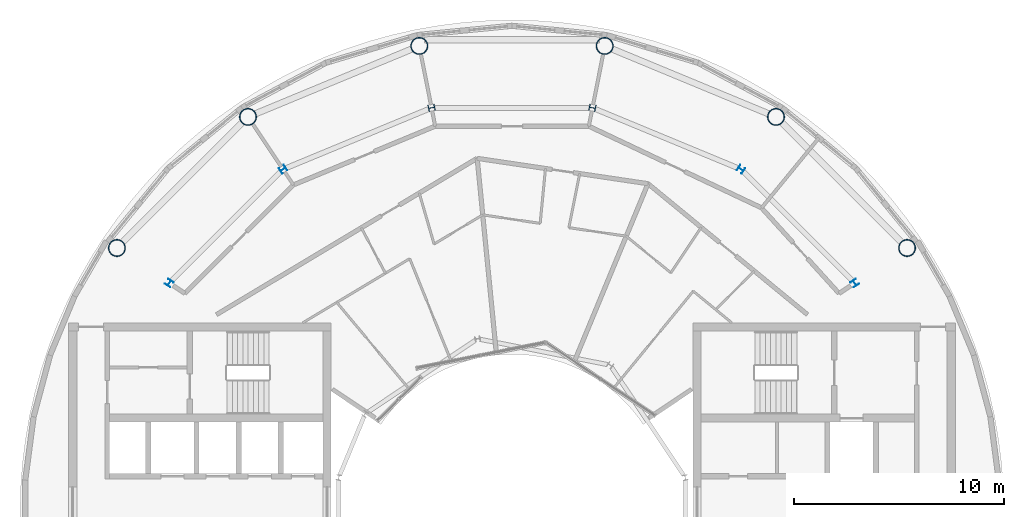
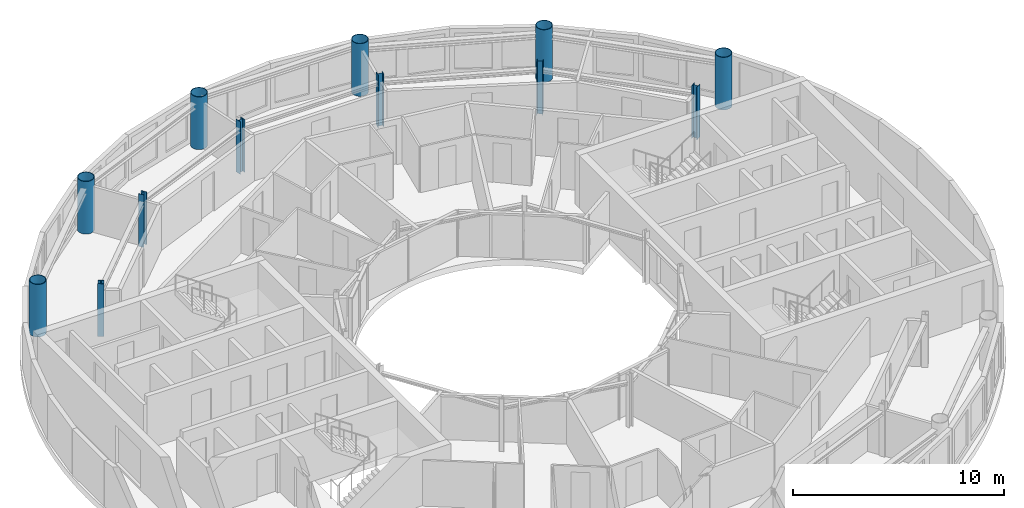
# One storey, part 4 of 17: 12 columns.
"""IFC4 building model written with IfcOpenShell, lengths in metres."""

from ifc_helpers import new_model, si_unit, direction, frame, origin, origin_2d, place, context, subcontext, project, spatial, hollow_circle, i_section, extrude, material, material_profile, profile_set, type_object, element, save


model = new_model("IFC4")

# Units and contexts
model_context = context("Model", 3, precision=1e-05, world=origin(), true_north=direction((0.0, 1.0)))
body_context = subcontext(model_context, "Body", "Model", "MODEL_VIEW")
ifc_project = project(units=[si_unit("LENGTHUNIT", "METRE"), si_unit("AREAUNIT", "SQUARE_METRE"), si_unit("VOLUMEUNIT", "CUBIC_METRE"), si_unit("PLANEANGLEUNIT", "RADIAN"), si_unit("MASSUNIT", "GRAM", prefix="KILO")], contexts=[model_context])

# Site, building, storey
site_placement = place(None, origin())
site = spatial("IfcSite", under=ifc_project, at=site_placement, CompositionType="ELEMENT")
building_placement = place(site_placement, origin())
building = spatial("IfcBuilding", under=site, at=building_placement, Name="Maasbend Ring Residences", CompositionType="ELEMENT")
storey_placement = place(building_placement, frame((0.0, 0.0, 252.35009765625)))
storey = spatial("IfcBuildingStorey", under=building, at=storey_placement, Name="L73", CompositionType="ELEMENT", Elevation=252.35009765625)

# Columns
ifc_material_1 = material(Name="Composite concrete-filled steel tube S460NH / C80/95", Category="concrete")
ifc_material_profile_1 = material_profile(ifc_material_1, hollow_circle(Radius=0.406494140625, WallThickness=0.030029296875, at=origin_2d()), Name="Composite tube column CHS 813x30")
ifc_profile_set_1 = profile_set([ifc_material_profile_1], Name="Composite concrete-filled steel tube S460NH / C80/95")
column_type_1 = type_object("IfcColumnType", Name="Composite tube column CHS 813x30", PredefinedType="COLUMN", material=ifc_profile_set_1)
for number, where, z_axis, x_axis, name in (
    (1, (18.791259765625, 12.555908203125, 0.0), (0.0, 0.0, 1.0), (1.0, 0.0, 0.0), "Outer column R2"),
    (2, (12.555908203125, 18.791259765625, 0.0), (0.0, 0.0, 1.0), (1.0, 0.0, 0.0), "Outer column R3"),
    (3, (4.408935546875, 22.165771484375, 0.0), (0.0, 0.0, 1.0), (1.0, 0.0, 0.0), "Outer column R4"),
    (4, (-4.408935546875, 22.165771484375, 0.0), (0.0, 0.0, 1.0), (1.0, 0.0, 0.0), "Outer column R5"),
    (5, (-12.555908203125, 18.791259765625, 0.0), (0.0, 0.0, 1.0), (1.0, 0.0, 0.0), "Outer column R6"),
    (6, (-18.791259765625, 12.555908203125, 0.0), (0.0, 0.0, 1.0), (1.0, 0.0, 0.0), "Outer column R7"),
):
    element("IfcColumn", number, at=place(storey_placement, frame(where, z_axis=z_axis, x_axis=x_axis)), inside=storey, type_object=column_type_1, Name=name, PredefinedType="COLUMN", context=body_context, shape_type="SweptSolid", body=[
        extrude(hollow_circle(Radius=0.406494140625, WallThickness=0.030029296875, at=origin_2d()), origin(), (0.0, 0.0, 1.0), 3.0498046875),
    ])
ifc_material_2 = material(Name="Steel S355J2", Category="steel")
ifc_material_profile_2 = material_profile(ifc_material_2, i_section(OverallWidth=0.300048828125, OverallDepth=0.300048828125, WebThickness=0.010986328125, FlangeThickness=0.01904296875, FilletRadius=0.027099609375, at=origin_2d()), Name="HEB 300")
ifc_profile_set_2 = profile_set([ifc_material_profile_2], Name="Steel S355J2")
column_type_2 = type_object("IfcColumnType", Name="Steel column HEB 300", PredefinedType="COLUMN", material=ifc_profile_set_2)
for number, where, z_axis, x_axis, name in (
    (7, (16.296875, 10.88916015625, 0.0), (0.0, 0.0, 1.0), (0.831469612303, 0.55557023302, 0.0), "Corridor ring column R2"),
    (8, (10.88916015625, 16.296875, 0.0), (0.0, 0.0, 1.0), (0.55557023302, 0.831469612303, 0.0), "Corridor ring column R3"),
    (9, (3.82373046875, 19.223388671875, 0.0), (0.0, 0.0, 1.0), (0.195090322016, 0.980785280403, 0.0), "Corridor ring column R4"),
    (10, (-3.82373046875, 19.223388671875, 0.0), (0.0, 0.0, 1.0), (-0.195090322016, 0.980785280403, 0.0), "Corridor ring column R5"),
    (11, (-10.88916015625, 16.296875, 0.0), (0.0, 0.0, 1.0), (-0.55557023302, 0.831469612303, 0.0), "Corridor ring column R6"),
    (12, (-16.296875, 10.88916015625, 0.0), (0.0, 0.0, 1.0), (-0.831469612303, 0.55557023302, 0.0), "Corridor ring column R7"),
):
    element("IfcColumn", number, at=place(storey_placement, frame(where, z_axis=z_axis, x_axis=x_axis)), inside=storey, type_object=column_type_2, Name=name, PredefinedType="COLUMN", context=body_context, shape_type="SweptSolid", body=[
        extrude(i_section(OverallWidth=0.300048828125, OverallDepth=0.300048828125, WebThickness=0.010986328125, FlangeThickness=0.01904296875, FilletRadius=0.027099609375, at=origin_2d()), origin(), (0.0, 0.0, 1.0), 3.0498046875),
    ])

save(model, "model.ifc")
